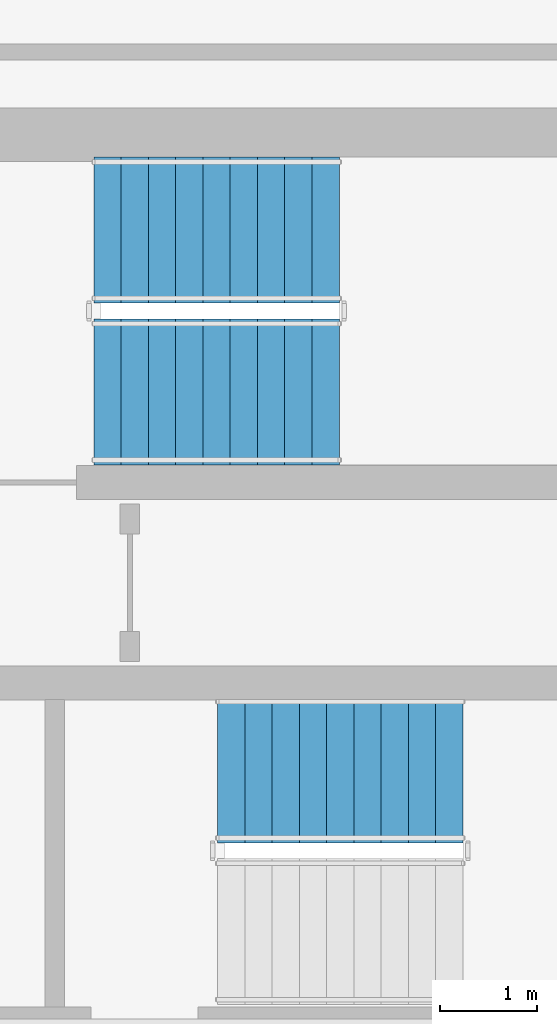
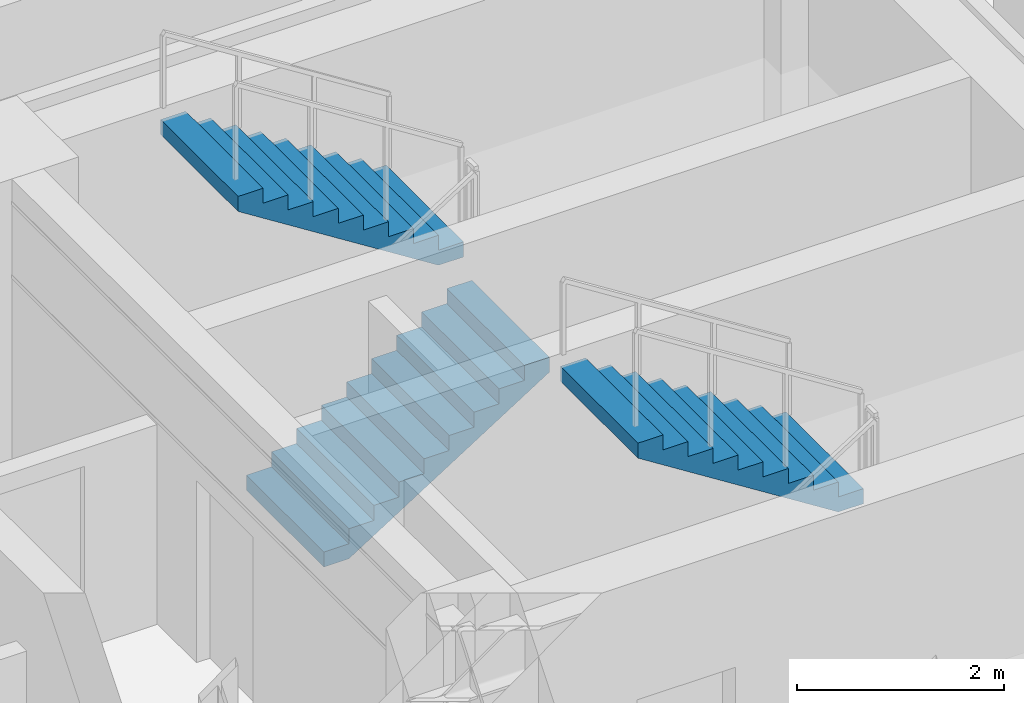
# One storey, part 9 of 12: 3 stair flights, 2 elements without a shape of their own.
"""IFC4 building model written with IfcOpenShell, lengths in metres."""

import ifcopenshell
import ifcopenshell.guid

model = None  # the IFC model being written
_history = None  # IfcOwnerHistory: only IFC2X3 demands one
_inside = {}  # id of a spatial element -> (the spatial element, [elements in it])
_under = {}  # id of a project, library or spatial element -> (it, [spatial elements below it])
_declared = {}  # id of a project -> (the project, [libraries it declares])
_typed = {}  # id of a type object -> (the type object, [elements of that type])
_made_of = {}  # id of a material, layer set ... -> (it, [elements and type objects made of it])


def new_model(schema):
    """Start an empty IFC model of exactly this schema.

    Asked for "IFC4X3", IfcOpenShell would pick the latest addendum, in which some entities
    have other attributes; the version numbers below select the first issue.
    IFC2X3 requires an IfcOwnerHistory on every rooted entity: one is made here for all.
    """
    global model, _history
    if schema == "IFC4X3":
        model = ifcopenshell.file(schema_version=(4, 3, 0, 0))
    else:
        model = ifcopenshell.file(schema=schema)
    _inside.clear()
    _under.clear()
    _declared.clear()
    _typed.clear()
    _made_of.clear()
    _history = None
    if model.schema == "IFC2X3":
        org = make("IfcOrganization", Name="unknown")
        user = make(
            "IfcPersonAndOrganization",
            ThePerson=make("IfcPerson", FamilyName="unknown"),
            TheOrganization=org,
        )
        app = make(
            "IfcApplication",
            ApplicationDeveloper=org,
            Version="unknown",
            ApplicationFullName="unknown",
            ApplicationIdentifier="unknown",
        )
        _history = make(
            "IfcOwnerHistory",
            OwningUser=user,
            OwningApplication=app,
            ChangeAction="ADDED",
            CreationDate=0,
        )
    return model


def make(cls, **values):
    """One entity of the class cls with the attributes given. An attribute that is None is left unset."""
    return model.create_entity(
        cls, **{name: value for name, value in values.items() if value is not None}
    )


def rooted(cls, **values):
    """An entity with a GlobalId (a new one), such as an element, a storey or a relation."""
    return make(cls, GlobalId=ifcopenshell.guid.new(), OwnerHistory=_history, **values)


def si_unit(unit_type, name, prefix=None):
    """IfcSIUnit, for example si_unit("LENGTHUNIT", "METRE", prefix="MILLI")."""
    return make("IfcSIUnit", UnitType=unit_type, Prefix=prefix, Name=name)


def assignment(units):
    """IfcUnitAssignment: the units of a project."""
    return None if units is None else make("IfcUnitAssignment", Units=units)


def point(xyz):
    """IfcCartesianPoint."""
    return None if xyz is None else make("IfcCartesianPoint", Coordinates=xyz)


def direction(xyz):
    """IfcDirection."""
    return None if xyz is None else make("IfcDirection", DirectionRatios=xyz)


def frame(location, z_axis=None, x_axis=None):
    """IfcAxis2Placement3D, a coordinate frame: its origin and axes. An axis left out is left unset."""
    return make(
        "IfcAxis2Placement3D",
        Location=point(location),
        Axis=direction(z_axis),
        RefDirection=direction(x_axis),
    )


def origin():
    """The frame at (0, 0, 0) with its axes left unset."""
    return frame((0.0, 0.0, 0.0))


def place(relative_to, where):
    """IfcLocalPlacement: puts the frame where relative to a parent placement (None: the world)."""
    return make(
        "IfcLocalPlacement", PlacementRelTo=relative_to, RelativePlacement=where
    )


def context(
    kind, dimensions, precision=None, world=None, true_north=None, identifier=None
):
    """IfcGeometricRepresentationContext, for example the 3D "Model" context."""
    return make(
        "IfcGeometricRepresentationContext",
        ContextIdentifier=identifier,
        ContextType=kind,
        CoordinateSpaceDimension=dimensions,
        Precision=precision,
        WorldCoordinateSystem=world,
        TrueNorth=true_north,
    )


def subcontext(parent, identifier, kind, view, scale=None):
    """IfcGeometricRepresentationSubContext, for example "Body" below "Model"."""
    return make(
        "IfcGeometricRepresentationSubContext",
        ContextIdentifier=identifier,
        ContextType=kind,
        ParentContext=parent,
        TargetScale=scale,
        TargetView=view,
    )


def project(units=None, contexts=None):
    """IfcProject with its units and contexts."""
    return rooted(
        "IfcProject",
        Name="project",
        RepresentationContexts=contexts,
        UnitsInContext=assignment(units),
    )


def spatial(cls, under=None, at=None, **own):
    """A site, building, storey or space (cls), placed at a placement, below another one or the project."""
    s = rooted(cls, ObjectPlacement=at, **own)
    if under is not None:
        _under.setdefault(under.id(), (under, []))[1].append(s)
    return s


def polyline(points):
    """IfcPolyline through the points."""
    return make("IfcPolyline", Points=[point(p) for p in points])


def outline(outer, holes=None, kind="AREA"):
    """IfcArbitraryClosedProfileDef: a profile drawn as a closed curve; with holes, ...WithVoids."""
    if holes is None:
        return make("IfcArbitraryClosedProfileDef", ProfileType=kind, OuterCurve=outer)
    return make(
        "IfcArbitraryProfileDefWithVoids",
        ProfileType=kind,
        OuterCurve=outer,
        InnerCurves=holes,
    )


def extrude(swept, where, along, depth):
    """IfcExtrudedAreaSolid: the profile swept, set in the frame where, extruded along a direction by depth."""
    return make(
        "IfcExtrudedAreaSolid",
        SweptArea=swept,
        Position=where,
        ExtrudedDirection=direction(along),
        Depth=depth,
    )


def shape(context_of_items, identifier, shape_type, items):
    """IfcShapeRepresentation: the items that make up one representation, for example the "Body"."""
    return make(
        "IfcShapeRepresentation",
        ContextOfItems=context_of_items,
        RepresentationIdentifier=identifier,
        RepresentationType=shape_type,
        Items=items,
    )


def material(Name=None, Category=None):
    """IfcMaterial."""
    return make("IfcMaterial", Name=Name, Category=Category)


def layer(
    of_material, thickness, ventilated=None, Name=None, Category=None, Priority=None
):
    """IfcMaterialLayer: one layer of a wall or slab, of a material (None: an air gap)."""
    return make(
        "IfcMaterialLayer",
        Material=of_material,
        LayerThickness=thickness,
        IsVentilated=ventilated,
        Name=Name,
        Category=Category,
        Priority=Priority,
    )


def layer_set(layers, Name=None):
    """IfcMaterialLayerSet."""
    return make("IfcMaterialLayerSet", MaterialLayers=layers, LayerSetName=Name)


def made_of(thing, what):
    """Note that an element or type object is made of a material, layer set ...; save() writes the relation."""
    if what is not None:
        _made_of.setdefault(what.id(), (what, []))[1].append(thing)
    return thing


def type_object(cls, material=None, **own):
    """A type object (cls), such as IfcWallType, which elements share."""
    return made_of(rooted(cls, **own), material)


def element(
    cls,
    number,
    at=None,
    inside=None,
    cuts=None,
    type_object=None,
    material=None,
    context=None,
    identifier="Body",
    shape_type=None,
    held_by="IfcProductDefinitionShape",
    body=None,
    shapes=None,
    **own,
):
    """One element of the class cls, such as IfcWall. Its Tag is "e" and its number.

    at: its placement. inside: the storey or other place that contains it. cuts: it is an
    opening in that element (IfcRelVoidsElement). A single representation is given by context,
    identifier, shape_type and body (its items); several are given by shapes. held_by: the class
    of the entity that holds the representations. save() writes the other relations.
    """
    e = rooted(cls, Tag="e%d" % number, ObjectPlacement=at, **own)
    if body is not None:
        shapes = [shape(context, identifier, shape_type, body)]
    if shapes is not None:
        e.Representation = make(held_by, Representations=shapes)
    if inside is not None:
        _inside.setdefault(inside.id(), (inside, []))[1].append(e)
    if cuts is not None:
        rooted(
            "IfcRelVoidsElement", RelatingBuildingElement=cuts, RelatedOpeningElement=e
        )
    if type_object is not None:
        _typed.setdefault(type_object.id(), (type_object, []))[1].append(e)
    return made_of(e, material)


def aggregate(whole, parts):
    """IfcRelAggregates: a whole, such as a stair, and the parts it consists of."""
    return rooted("IfcRelAggregates", RelatingObject=whole, RelatedObjects=parts)


def save(model, path):
    """Write the relations noted so far, then the file.

    IfcRelAggregates (storeys below a building ...), IfcRelContainedInSpatialStructure (elements
    in a storey), IfcRelDefinesByType, IfcRelAssociatesMaterial and IfcRelDeclares: one each for
    every whole, place, type object, material and project.
    """
    for whole, parts in _under.values():
        aggregate(whole, parts)
    for where, things in _inside.values():
        rooted(
            "IfcRelContainedInSpatialStructure",
            RelatedElements=things,
            RelatingStructure=where,
        )
    for kind, things in _typed.values():
        rooted("IfcRelDefinesByType", RelatedObjects=things, RelatingType=kind)
    for what, things in _made_of.values():
        rooted("IfcRelAssociatesMaterial", RelatedObjects=things, RelatingMaterial=what)
    for by, libraries in _declared.values():
        rooted("IfcRelDeclares", RelatingContext=by, RelatedDefinitions=libraries)
    model.write(path)


model = new_model("IFC4")

# Units and contexts
model_context = context("Model", 3, precision=1e-05, world=origin(), true_north=direction((0.0, 1.0)))
body_context = subcontext(model_context, "Body", "Model", "MODEL_VIEW")
ifc_project = project(units=[si_unit("LENGTHUNIT", "METRE"), si_unit("AREAUNIT", "SQUARE_METRE"), si_unit("VOLUMEUNIT", "CUBIC_METRE"), si_unit("PLANEANGLEUNIT", "RADIAN"), si_unit("MASSUNIT", "GRAM", prefix="KILO")], contexts=[model_context])

# Site, building, storey
site_placement = place(None, origin())
site = spatial("IfcSite", under=ifc_project, at=site_placement, CompositionType="ELEMENT")
building_placement = place(site_placement, origin())
building = spatial("IfcBuilding", under=site, at=building_placement, Name="Zarnavel Station Tower", CompositionType="ELEMENT")
storey_placement = place(building_placement, frame((0.0, 0.0, 166.10009765625)))
storey = spatial("IfcBuildingStorey", under=building, at=storey_placement, Name="L45", CompositionType="ELEMENT", Elevation=166.10009765625)

# Stair, stair flights
ifc_material_1 = material(Name="Concrete C45/55", Category="concrete")
stair_type = type_object("IfcStairType", Name="ST_CORE_150", PredefinedType="HALF_TURN_STAIR", material=ifc_material_1)
stair_1_placement = place(storey_placement, origin())
stair_1 = element("IfcStair", 1, at=stair_1_placement, inside=storey, type_object=stair_type, Name="L45 Core Exit Stair ST2", PredefinedType="HALF_TURN_STAIR")
ifc_material_2 = material(Name="Concrete C45/55", Category="concrete")
ifc_layer = layer(ifc_material_2, 0.179931640625)
ifc_layer_set = layer_set([ifc_layer], Name="ST_CORE_150_FLT")
stair_flight_type = type_object("IfcStairFlightType", Name="ST_CORE_150_FLT", PredefinedType="STRAIGHT", material=ifc_layer_set)
stair_flight_1_placement = place(storey_placement, frame((38.080078125, 34.409912109375, 0.0), z_axis=(0.0, 0.0, 1.0), x_axis=(1.0, 0.0, 0.0)))
stair_flight_1 = element("IfcStairFlight", 2, at=stair_flight_1_placement, type_object=stair_flight_type, Name="ST2 flight 1", NumberOfRisers=10, NumberOfTreads=9, PredefinedType="STRAIGHT", RiserHeight=0.1775, TreadLength=0.28, context=body_context, shape_type="SweptSolid", body=[
    extrude(outline(polyline([(0.0, 0.0), (0.0, 0.177490234375), (0.280029296875, 0.177490234375), (0.280029296875, 0.35498046875), (0.56005859375, 0.35498046875), (0.56005859375, 0.532470703125), (0.840087890625, 0.532470703125), (0.840087890625, 0.7099609375), (1.1201171875, 0.7099609375), (1.1201171875, 0.887451171875), (1.39990234375, 0.887451171875), (1.39990234375, 1.06494140625), (1.679931640625, 1.06494140625), (1.679931640625, 1.242431640625), (1.9599609375, 1.242431640625), (1.9599609375, 1.419921875), (2.239990234375, 1.419921875), (2.239990234375, 1.597412109375), (2.52001953125, 1.597412109375), (2.52001953125, 1.77490234375), (2.52001953125, 1.419921875), (0.280029296875, 0.0), (0.0, 0.0)])), frame((0.0, 0.75, 0.0), z_axis=(0.0, -1.0, 0.0), x_axis=(1.0, 0.0, 0.0)), (0.0, 0.0, 1.0), 1.5),
])
stair_flight_2_placement = place(storey_placement, frame((40.60009765625, 36.070068359375, 1.77490234375), z_axis=(0.0, 0.0, 1.0), x_axis=(-1.0, 0.0, 0.0)))
stair_flight_2 = element("IfcStairFlight", 3, at=stair_flight_2_placement, type_object=stair_flight_type, Name="ST2 flight 2", NumberOfRisers=10, NumberOfTreads=9, PredefinedType="STRAIGHT", RiserHeight=0.1775, TreadLength=0.28, context=body_context, shape_type="SweptSolid", body=[
    extrude(outline(polyline([(0.0, 0.0), (0.0, 0.177490234375), (0.280029296875, 0.177490234375), (0.280029296875, 0.35498046875), (0.56005859375, 0.35498046875), (0.56005859375, 0.532470703125), (0.840087890625, 0.532470703125), (0.840087890625, 0.7099609375), (1.1201171875, 0.7099609375), (1.1201171875, 0.887451171875), (1.39990234375, 0.887451171875), (1.39990234375, 1.06494140625), (1.679931640625, 1.06494140625), (1.679931640625, 1.242431640625), (1.9599609375, 1.242431640625), (1.9599609375, 1.419921875), (2.239990234375, 1.419921875), (2.239990234375, 1.597412109375), (2.52001953125, 1.597412109375), (2.52001953125, 1.77490234375), (2.52001953125, 1.419921875), (0.280029296875, 0.0), (0.0, 0.0)])), frame((0.0, 0.75, 0.0), z_axis=(0.0, -1.0, 0.0), x_axis=(1.0, 0.0, 0.0)), (0.0, 0.0, 1.0), 1.5),
])
aggregate(stair_1, [stair_flight_1, stair_flight_2])

# Stair, stair flight
stair_2_placement = place(storey_placement, origin())
stair_2 = element("IfcStair", 4, at=stair_2_placement, inside=storey, type_object=stair_type, Name="L45 Core Exit Stair ST3", PredefinedType="HALF_TURN_STAIR")
stair_flight_3_placement = place(storey_placement, frame((41.8701171875, 30.530029296875, 1.77490234375), z_axis=(0.0, 0.0, 1.0), x_axis=(-1.0, 0.0, 0.0)))
stair_flight_3 = element("IfcStairFlight", 5, at=stair_flight_3_placement, type_object=stair_flight_type, Name="ST3 flight 2", NumberOfRisers=10, NumberOfTreads=9, PredefinedType="STRAIGHT", RiserHeight=0.1775, TreadLength=0.28, context=body_context, shape_type="SweptSolid", body=[
    extrude(outline(polyline([(0.0, 0.0), (0.0, 0.177490234375), (0.280029296875, 0.177490234375), (0.280029296875, 0.35498046875), (0.56005859375, 0.35498046875), (0.56005859375, 0.532470703125), (0.840087890625, 0.532470703125), (0.840087890625, 0.7099609375), (1.1201171875, 0.7099609375), (1.1201171875, 0.887451171875), (1.39990234375, 0.887451171875), (1.39990234375, 1.06494140625), (1.679931640625, 1.06494140625), (1.679931640625, 1.242431640625), (1.9599609375, 1.242431640625), (1.9599609375, 1.419921875), (2.239990234375, 1.419921875), (2.239990234375, 1.597412109375), (2.52001953125, 1.597412109375), (2.52001953125, 1.77490234375), (2.52001953125, 1.419921875), (0.280029296875, 0.0), (0.0, 0.0)])), frame((0.0, 0.75, 0.0), z_axis=(0.0, -1.0, 0.0), x_axis=(1.0, 0.0, 0.0)), (0.0, 0.0, 1.0), 1.5),
])
aggregate(stair_2, [stair_flight_3])

save(model, "model.ifc")
